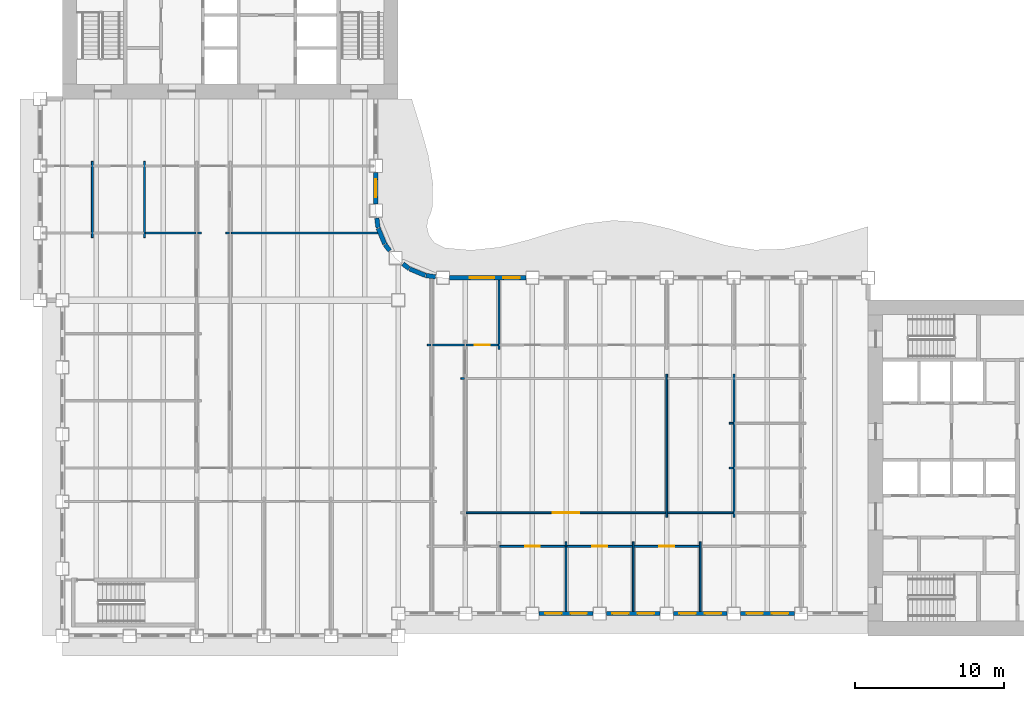
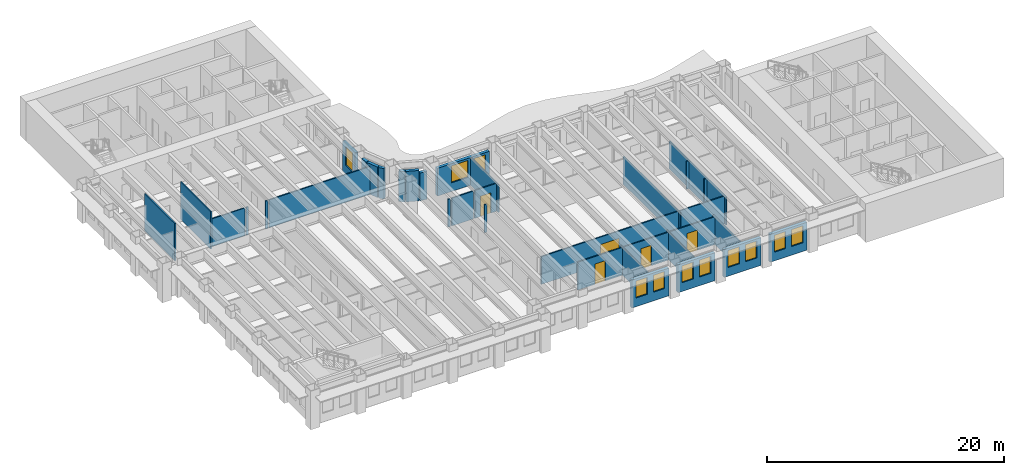
# One storey, part 5 of 16: 35 walls, 11 windows, 5 doors, 16 openings.
"""IFC4 building model written with IfcOpenShell, lengths in metres."""

from ifc_helpers import new_model, si_unit, direction, frame, frame_2d, origin, place, context, subcontext, project, spatial, rectangle, extrude, material, layer, layer_set, type_object, element, fill, save


model = new_model("IFC4")

# Units and contexts
model_context = context("Model", 3, precision=1e-05, world=origin(), true_north=direction((0.0, 1.0)))
body_context = subcontext(model_context, "Body", "Model", "MODEL_VIEW")
ifc_project = project(units=[si_unit("LENGTHUNIT", "METRE"), si_unit("AREAUNIT", "SQUARE_METRE"), si_unit("VOLUMEUNIT", "CUBIC_METRE"), si_unit("PLANEANGLEUNIT", "RADIAN"), si_unit("MASSUNIT", "GRAM", prefix="KILO")], contexts=[model_context])

# Site, building, storey
site_placement = place(None, origin())
site = spatial("IfcSite", under=ifc_project, at=site_placement, CompositionType="ELEMENT")
building_placement = place(site_placement, origin())
building = spatial("IfcBuilding", under=site, at=building_placement, Name="Sennacour Bend Tower", CompositionType="ELEMENT")
storey_placement = place(building_placement, frame((0.0, 0.0, 163.0)))
storey = spatial("IfcBuildingStorey", under=building, at=storey_placement, Name="L37", CompositionType="ELEMENT", Elevation=163.0)

# Walls
ifc_material_1 = material(Name="Plasterboard partition on steel studs", Category="steel")
ifc_layer_1 = layer(ifc_material_1, 0.1201171875, Name="Plasterboard partition on steel studs", Category="steel")
ifc_layer_set_1 = layer_set([ifc_layer_1], Name="Plasterboard partition on steel studs")
wall_type_1 = type_object("IfcWallType", Name="Partition 120", PredefinedType="PARTITIONING", material=ifc_layer_set_1)
for number, where, z_axis, x_axis, name in (
    (1, (2.0, 26.699951171875, 0.0), (0.0, 0.0, 1.0), (0.0, 1.0, 0.0), "P-L37-W004a"),
    (2, (5.5, 26.699951171875, 0.0), (0.0, 0.0, 1.0), (0.0, 1.0, 0.0), "P-L37-W007a"),
):
    element("IfcWall", number, at=place(storey_placement, frame(where, z_axis=z_axis, x_axis=x_axis)), inside=storey, type_object=wall_type_1, Name=name, PredefinedType="PARTITIONING", context=body_context, shape_type="SweptSolid", body=[
        extrude(rectangle(XDim=5.10009765625, YDim=0.1201171875, at=frame_2d((2.550048828125, 0.0))), origin(), (0.0, 0.0, 1.0), 3.85009765625),
    ])
for number, where, z_axis, x_axis, name in (
    (3, (29.25, 19.199951171875, 0.0), (0.0, 0.0, 1.0), (0.0, 1.0, 0.0), "P-L37-W027a"),
    (4, (33.75, 1.64990234375, 0.0), (0.0, 0.0, 1.0), (0.0, 1.0, 0.0), "P-L37-W028a"),
    (5, (38.25, 1.64990234375, 0.0), (0.0, 0.0, 1.0), (0.0, 1.0, 0.0), "P-L37-W030a"),
):
    element("IfcWall", number, at=place(storey_placement, frame(where, z_axis=z_axis, x_axis=x_axis)), inside=storey, type_object=wall_type_1, Name=name, PredefinedType="PARTITIONING", context=body_context, shape_type="SweptSolid", body=[
        extrude(rectangle(XDim=4.650146484375, YDim=0.1201171875, at=frame_2d((2.3251953125, 0.0))), origin(), (0.0, 0.0, 1.0), 2.8701171875),
    ])
wall_1_placement = place(storey_placement, frame((40.5, 7.949951171875, 0.0), z_axis=(0.0, 0.0, 1.0), x_axis=(0.0, 1.0, 0.0)))
element("IfcWall", 6, at=wall_1_placement, inside=storey, type_object=wall_type_1, Name="P-L37-W031a", PredefinedType="PARTITIONING", context=body_context, shape_type="SweptSolid", body=[
    extrude(rectangle(XDim=9.60009765625, YDim=0.1201171875, at=frame_2d((4.800048828125, 0.0))), origin(), (0.0, 0.0, 1.0), 2.8701171875),
])
wall_2_placement = place(storey_placement, frame((42.75, 1.64990234375, 0.0), z_axis=(0.0, 0.0, 1.0), x_axis=(0.0, 1.0, 0.0)))
element("IfcWall", 7, at=wall_2_placement, inside=storey, type_object=wall_type_1, Name="P-L37-W033a", PredefinedType="PARTITIONING", context=body_context, shape_type="SweptSolid", body=[
    extrude(rectangle(XDim=4.650146484375, YDim=0.1201171875, at=frame_2d((2.3251953125, 0.0))), origin(), (0.0, 0.0, 1.0), 2.8701171875),
])
wall_3_placement = place(storey_placement, frame((45.0, 7.949951171875, 0.0), z_axis=(0.0, 0.0, 1.0), x_axis=(0.0, 1.0, 0.0)))
element("IfcWall", 8, at=wall_3_placement, inside=storey, type_object=wall_type_1, Name="P-L37-W034a", PredefinedType="PARTITIONING", context=body_context, shape_type="SweptSolid", body=[
    extrude(rectangle(XDim=9.60009765625, YDim=0.1201171875, at=frame_2d((4.800048828125, 0.0))), origin(), (0.0, 0.0, 1.0), 2.8701171875),
])

# Wall, opening, door
wall_4_placement = place(storey_placement, frame((29.31005859375, 6.0, 0.0), z_axis=(0.0, 0.0, 1.0), x_axis=(1.0, 0.0, 0.0)))
wall_4 = element("IfcWall", 9, at=wall_4_placement, inside=storey, type_object=wall_type_1, Name="P-L37-W058ad", PredefinedType="PARTITIONING", context=body_context, shape_type="SweptSolid", body=[
    extrude(rectangle(XDim=4.3798828125, YDim=0.1201171875, at=frame_2d((2.18994140625, 0.0))), origin(), (0.0, 0.0, 1.0), 2.8701171875),
])
opening_1_placement = place(wall_4_placement, frame((1.68994140625, 0.0, 0.0)))
opening_1 = element("IfcOpeningElement", 10, at=opening_1_placement, cuts=wall_4, Name="Opening OD2", PredefinedType="OPENING", context=body_context, shape_type="SweptSolid", body=[
    extrude(rectangle(XDim=1.0, YDim=2.10009765625, at=frame_2d((0.5, 1.050048828125))), frame((0.0, 0.070068359375, 0.0), z_axis=(0.0, -1.0, 0.0), x_axis=(1.0, 0.0, 0.0)), (0.0, 0.0, 1.0), 0.14013671875),
])
ifc_material_2 = material(Name="Timber", Category="wood")
door_type_1 = type_object("IfcDoorType", Name="DR-OFFICE-1000", OperationType="NOTDEFINED", PredefinedType="DOOR", material=ifc_material_2)
door_1_placement = place(opening_1_placement, origin())
door_1 = element("IfcDoor", 11, at=door_1_placement, inside=storey, type_object=door_type_1, Name="Door", OperationType="SINGLE_SWING_LEFT", OverallHeight=2.10009765625, OverallWidth=1.0, PredefinedType="DOOR", context=body_context, shape_type="SweptSolid", body=[
    extrude(rectangle(XDim=1.0, YDim=2.10009765625, at=frame_2d((0.5, 1.050048828125))), frame((0.0, 0.02490234375, 0.0), z_axis=(0.0, -1.0, 0.0), x_axis=(1.0, 0.0, 0.0)), (0.0, 0.0, 1.0), 0.050048828125),
])
fill(opening_1, door_1)

wall_5_placement = place(storey_placement, frame((33.81005859375, 6.0, 0.0), z_axis=(0.0, 0.0, 1.0), x_axis=(1.0, 0.0, 0.0)))
wall_5 = element("IfcWall", 12, at=wall_5_placement, inside=storey, type_object=wall_type_1, Name="P-L37-W058ae", PredefinedType="PARTITIONING", context=body_context, shape_type="SweptSolid", body=[
    extrude(rectangle(XDim=4.3798828125, YDim=0.1201171875, at=frame_2d((2.18994140625, 0.0))), origin(), (0.0, 0.0, 1.0), 2.8701171875),
])
opening_2_placement = place(wall_5_placement, frame((1.68994140625, 0.0, 0.0)))
opening_2 = element("IfcOpeningElement", 13, at=opening_2_placement, cuts=wall_5, Name="Opening OD2", PredefinedType="OPENING", context=body_context, shape_type="SweptSolid", body=[
    extrude(rectangle(XDim=1.0, YDim=2.10009765625, at=frame_2d((0.5, 1.050048828125))), frame((0.0, 0.070068359375, 0.0), z_axis=(0.0, -1.0, 0.0), x_axis=(1.0, 0.0, 0.0)), (0.0, 0.0, 1.0), 0.14013671875),
])
door_2_placement = place(opening_2_placement, origin())
door_2 = element("IfcDoor", 14, at=door_2_placement, inside=storey, type_object=door_type_1, Name="Door", OperationType="SINGLE_SWING_LEFT", OverallHeight=2.10009765625, OverallWidth=1.0, PredefinedType="DOOR", context=body_context, shape_type="SweptSolid", body=[
    extrude(rectangle(XDim=1.0, YDim=2.10009765625, at=frame_2d((0.5, 1.050048828125))), frame((0.0, 0.02490234375, 0.0), z_axis=(0.0, -1.0, 0.0), x_axis=(1.0, 0.0, 0.0)), (0.0, 0.0, 1.0), 0.050048828125),
])
fill(opening_2, door_2)

wall_6_placement = place(storey_placement, frame((38.31005859375, 6.0, 0.0), z_axis=(0.0, 0.0, 1.0), x_axis=(1.0, 0.0, 0.0)))
wall_6 = element("IfcWall", 15, at=wall_6_placement, inside=storey, type_object=wall_type_1, Name="P-L37-W058af", PredefinedType="PARTITIONING", context=body_context, shape_type="SweptSolid", body=[
    extrude(rectangle(XDim=4.3798828125, YDim=0.1201171875, at=frame_2d((2.18994140625, 0.0))), origin(), (0.0, 0.0, 1.0), 2.8701171875),
])
opening_3_placement = place(wall_6_placement, frame((1.68994140625, 0.0, 0.0)))
opening_3 = element("IfcOpeningElement", 16, at=opening_3_placement, cuts=wall_6, Name="Opening OD2", PredefinedType="OPENING", context=body_context, shape_type="SweptSolid", body=[
    extrude(rectangle(XDim=1.0, YDim=2.10009765625, at=frame_2d((0.5, 1.050048828125))), frame((0.0, 0.070068359375, 0.0), z_axis=(0.0, -1.0, 0.0), x_axis=(1.0, 0.0, 0.0)), (0.0, 0.0, 1.0), 0.14013671875),
])
door_3_placement = place(opening_3_placement, origin())
door_3 = element("IfcDoor", 17, at=door_3_placement, inside=storey, type_object=door_type_1, Name="Door", OperationType="SINGLE_SWING_LEFT", OverallHeight=2.10009765625, OverallWidth=1.0, PredefinedType="DOOR", context=body_context, shape_type="SweptSolid", body=[
    extrude(rectangle(XDim=1.0, YDim=2.10009765625, at=frame_2d((0.5, 1.050048828125))), frame((0.0, 0.02490234375, 0.0), z_axis=(0.0, -1.0, 0.0), x_axis=(1.0, 0.0, 0.0)), (0.0, 0.0, 1.0), 0.050048828125),
])
fill(opening_3, door_3)

wall_7_placement = place(storey_placement, frame((27.06005859375, 8.25, 0.0), z_axis=(0.0, 0.0, 1.0), x_axis=(1.0, 0.0, 0.0)))
wall_7 = element("IfcWall", 18, at=wall_7_placement, inside=storey, type_object=wall_type_1, Name="P-L37-W060ab", PredefinedType="PARTITIONING", context=body_context, shape_type="SweptSolid", body=[
    extrude(rectangle(XDim=13.3798828125, YDim=0.1201171875, at=frame_2d((6.68994140625, 0.0))), origin(), (0.0, 0.0, 1.0), 2.8701171875),
])
opening_4_placement = place(wall_7_placement, frame((5.789794921875, 0.0, 0.0)))
opening_4 = element("IfcOpeningElement", 19, at=opening_4_placement, cuts=wall_7, Name="Opening OD3", PredefinedType="OPENING", context=body_context, shape_type="SweptSolid", body=[
    extrude(rectangle(XDim=1.800048828125, YDim=2.10009765625, at=frame_2d((0.89990234375, 1.050048828125))), frame((0.0, 0.070068359375, 0.0), z_axis=(0.0, -1.0, 0.0), x_axis=(1.0, 0.0, 0.0)), (0.0, 0.0, 1.0), 0.14013671875),
])
door_type_2 = type_object("IfcDoorType", Name="DR-OFFICE-1800", OperationType="NOTDEFINED", PredefinedType="DOOR", material=ifc_material_2)
door_4_placement = place(opening_4_placement, origin())
door_4 = element("IfcDoor", 20, at=door_4_placement, inside=storey, type_object=door_type_2, Name="Door", OperationType="DOUBLE_DOOR_SINGLE_SWING", OverallHeight=2.10009765625, OverallWidth=1.800048828125, PredefinedType="DOOR", context=body_context, shape_type="SweptSolid", body=[
    extrude(rectangle(XDim=1.800048828125, YDim=2.10009765625, at=frame_2d((0.89990234375, 1.050048828125))), frame((0.0, 0.02490234375, 0.0), z_axis=(0.0, -1.0, 0.0), x_axis=(1.0, 0.0, 0.0)), (0.0, 0.0, 1.0), 0.050048828125),
])
fill(opening_4, door_4)

# Walls
wall_8_placement = place(storey_placement, frame((40.56005859375, 8.25, 0.0), z_axis=(0.0, 0.0, 1.0), x_axis=(1.0, 0.0, 0.0)))
element("IfcWall", 21, at=wall_8_placement, inside=storey, type_object=wall_type_1, Name="P-L37-W060ac", PredefinedType="PARTITIONING", context=body_context, shape_type="SweptSolid", body=[
    extrude(rectangle(XDim=4.3798828125, YDim=0.1201171875, at=frame_2d((2.18994140625, 0.0))), origin(), (0.0, 0.0, 1.0), 2.8701171875),
])
for number, where, z_axis, x_axis, name in (
    (22, (44.699951171875, 11.25, 0.0), (0.0, 0.0, 1.0), (1.0, 0.0, 0.0), "P-L37-W064aa"),
    (23, (44.699951171875, 14.25, 0.0), (0.0, 0.0, 1.0), (1.0, 0.0, 0.0), "P-L37-W066aa"),
    (24, (26.699951171875, 17.25, 0.0), (0.0, 0.0, 1.0), (1.0, 0.0, 0.0), "P-L37-W070aa"),
    (25, (24.449951171875, 19.5, 0.0), (0.0, 0.0, 1.0), (1.0, 0.0, 0.0), "P-L37-W074aa"),
):
    element("IfcWall", number, at=place(storey_placement, frame(where, z_axis=z_axis, x_axis=x_axis)), inside=storey, type_object=wall_type_1, Name=name, PredefinedType="PARTITIONING", context=body_context, shape_type="SweptSolid", body=[
        extrude(rectangle(XDim=0.239990234375, YDim=0.1201171875, at=frame_2d((0.1201171875, 0.0))), origin(), (0.0, 0.0, 1.0), 2.8701171875),
    ])
wall_9_placement = place(storey_placement, frame((24.81005859375, 19.5, 0.0), z_axis=(0.0, 0.0, 1.0), x_axis=(1.0, 0.0, 0.0)))
element("IfcWall", 26, at=wall_9_placement, inside=storey, type_object=wall_type_1, Name="P-L37-W074ab", PredefinedType="PARTITIONING", context=body_context, shape_type="SweptSolid", body=[
    extrude(rectangle(XDim=2.1298828125, YDim=0.1201171875, at=frame_2d((1.06494140625, 0.0))), origin(), (0.0, 0.0, 1.0), 2.8701171875),
])

# Wall, opening, door
wall_10_placement = place(storey_placement, frame((27.06005859375, 19.5, 0.0), z_axis=(0.0, 0.0, 1.0), x_axis=(1.0, 0.0, 0.0)))
wall_10 = element("IfcWall", 27, at=wall_10_placement, inside=storey, type_object=wall_type_1, Name="P-L37-W074ac", PredefinedType="PARTITIONING", context=body_context, shape_type="SweptSolid", body=[
    extrude(rectangle(XDim=2.1298828125, YDim=0.1201171875, at=frame_2d((1.06494140625, 0.0))), origin(), (0.0, 0.0, 1.0), 2.8701171875),
])
opening_5_placement = place(wall_10_placement, frame((0.56494140625, 0.0, 0.0)))
opening_5 = element("IfcOpeningElement", 28, at=opening_5_placement, cuts=wall_10, Name="Opening OD2", PredefinedType="OPENING", context=body_context, shape_type="SweptSolid", body=[
    extrude(rectangle(XDim=1.0, YDim=2.10009765625, at=frame_2d((0.5, 1.050048828125))), frame((0.0, 0.070068359375, 0.0), z_axis=(0.0, -1.0, 0.0), x_axis=(1.0, 0.0, 0.0)), (0.0, 0.0, 1.0), 0.14013671875),
])
door_5_placement = place(opening_5_placement, origin())
door_5 = element("IfcDoor", 29, at=door_5_placement, inside=storey, type_object=door_type_1, Name="Door", OperationType="SINGLE_SWING_LEFT", OverallHeight=2.10009765625, OverallWidth=1.0, PredefinedType="DOOR", context=body_context, shape_type="SweptSolid", body=[
    extrude(rectangle(XDim=1.0, YDim=2.10009765625, at=frame_2d((0.5, 1.050048828125))), frame((0.0, 0.02490234375, 0.0), z_axis=(0.0, -1.0, 0.0), x_axis=(1.0, 0.0, 0.0)), (0.0, 0.0, 1.0), 0.050048828125),
])
fill(opening_5, door_5)

# Walls
wall_11_placement = place(storey_placement, frame((5.56005859375, 27.0, 0.0), z_axis=(0.0, 0.0, 1.0), x_axis=(1.0, 0.0, 0.0)))
element("IfcWall", 30, at=wall_11_placement, inside=storey, type_object=wall_type_1, Name="P-L37-W077ac", PredefinedType="PARTITIONING", context=body_context, shape_type="SweptSolid", body=[
    extrude(rectangle(XDim=3.3798828125, YDim=0.1201171875, at=frame_2d((1.68994140625, 0.0))), origin(), (0.0, 0.0, 1.0), 2.8701171875),
])
for number, where, z_axis, x_axis, name in (
    (31, (9.06005859375, 27.0, 0.0), (0.0, 0.0, 1.0), (1.0, 0.0, 0.0), "P-L37-W077ad"),
    (32, (10.949951171875, 27.0, 0.0), (0.0, 0.0, 1.0), (1.0, 0.0, 0.0), "P-L37-W078aa"),
):
    element("IfcWall", number, at=place(storey_placement, frame(where, z_axis=z_axis, x_axis=x_axis)), inside=storey, type_object=wall_type_1, Name=name, PredefinedType="PARTITIONING", context=body_context, shape_type="SweptSolid", body=[
        extrude(rectangle(XDim=0.239990234375, YDim=0.1201171875, at=frame_2d((0.1201171875, 0.0))), origin(), (0.0, 0.0, 1.0), 2.8701171875),
    ])
wall_12_placement = place(storey_placement, frame((11.31005859375, 27.0, 0.0), z_axis=(0.0, 0.0, 1.0), x_axis=(1.0, 0.0, 0.0)))
element("IfcWall", 33, at=wall_12_placement, inside=storey, type_object=wall_type_1, Name="P-L37-W078ab", PredefinedType="PARTITIONING", context=body_context, shape_type="SweptSolid", body=[
    extrude(rectangle(XDim=9.81982421875, YDim=0.1201171875, at=frame_2d((4.909912109375, 0.0))), origin(), (0.0, 0.0, 1.0), 2.8701171875),
])

# Wall, openings, windows
ifc_material_3 = material(Name="Warm limestone cladding", Category="masonry")
ifc_layer_2 = layer(ifc_material_3, 0.050048828125, Name="Warm limestone cladding", Category="masonry")
ifc_material_4 = material(Name="Precast concrete C40/50", Category="concrete")
ifc_layer_3 = layer(ifc_material_4, 0.25, Name="Precast concrete C40/50", Category="concrete")
ifc_layer_set_2 = layer_set([ifc_layer_2, ifc_layer_3], Name="Precast concrete C40/50 with limestone cladding")
wall_type_2 = type_object("IfcWallType", Name="STONE-CLAD PRECAST SPANDREL 300", PredefinedType="STANDARD", material=ifc_layer_set_2)
wall_13_placement = place(storey_placement, frame((31.949951171875, 1.5, 0.0), z_axis=(0.0, 0.0, 1.0), x_axis=(1.0, 0.0, 0.0)))
wall_13 = element("IfcWall", 34, at=wall_13_placement, inside=storey, type_object=wall_type_2, Name="Stone spandrel and pier wall L37 02.02", PredefinedType="STANDARD", context=body_context, shape_type="SweptSolid", body=[
    extrude(rectangle(XDim=3.60009765625, YDim=0.300048828125, at=frame_2d((1.800048828125, 0.0))), origin(), (0.0, 0.0, 1.0), 2.8701171875),
])
opening_6_placement = place(wall_13_placement, frame((0.39990234375, 0.0, 0.89990234375)))
opening_6 = element("IfcOpeningElement", 35, at=opening_6_placement, cuts=wall_13, Name="Opening W17", PredefinedType="OPENING", context=body_context, shape_type="SweptSolid", body=[
    extrude(rectangle(XDim=1.10009765625, YDim=1.75, at=frame_2d((0.550048828125, 0.875))), frame((0.0, 0.16015625, 0.0), z_axis=(0.0, -1.0, 0.0), x_axis=(1.0, 0.0, 0.0)), (0.0, 0.0, 1.0), 0.320068359375),
])
opening_7_placement = place(wall_13_placement, frame((2.10009765625, 0.0, 0.89990234375)))
opening_7 = element("IfcOpeningElement", 36, at=opening_7_placement, cuts=wall_13, Name="Opening W17", PredefinedType="OPENING", context=body_context, shape_type="SweptSolid", body=[
    extrude(rectangle(XDim=1.10009765625, YDim=1.75, at=frame_2d((0.550048828125, 0.875))), frame((0.0, 0.16015625, 0.0), z_axis=(0.0, -1.0, 0.0), x_axis=(1.0, 0.0, 0.0)), (0.0, 0.0, 1.0), 0.320068359375),
])
ifc_material_5 = material(Name="Clear low-emissivity glass", Category="glass")
window_type_1 = type_object("IfcWindowType", Name="WIN-RIBBON-1100x1750", PartitioningType="SINGLE_PANEL", PredefinedType="WINDOW", material=ifc_material_5)
window_1_placement = place(opening_6_placement, origin())
window_1 = element("IfcWindow", 37, at=window_1_placement, inside=storey, type_object=window_type_1, Name="Ribbon window L37 02.02.0", OverallHeight=1.75, OverallWidth=1.10009765625, PartitioningType="SINGLE_PANEL", PredefinedType="WINDOW", context=body_context, shape_type="SweptSolid", body=[
    extrude(rectangle(XDim=1.10009765625, YDim=1.75, at=frame_2d((0.550048828125, 0.875))), frame((0.0, 0.030029296875, 0.0), z_axis=(0.0, -1.0, 0.0), x_axis=(1.0, 0.0, 0.0)), (0.0, 0.0, 1.0), 0.06005859375),
])
fill(opening_6, window_1)
window_2_placement = place(opening_7_placement, origin())
window_2 = element("IfcWindow", 38, at=window_2_placement, inside=storey, type_object=window_type_1, Name="Ribbon window L37 02.02.1", OverallHeight=1.75, OverallWidth=1.10009765625, PartitioningType="SINGLE_PANEL", PredefinedType="WINDOW", context=body_context, shape_type="SweptSolid", body=[
    extrude(rectangle(XDim=1.10009765625, YDim=1.75, at=frame_2d((0.550048828125, 0.875))), frame((0.0, 0.030029296875, 0.0), z_axis=(0.0, -1.0, 0.0), x_axis=(1.0, 0.0, 0.0)), (0.0, 0.0, 1.0), 0.06005859375),
])
fill(opening_7, window_2)

wall_14_placement = place(storey_placement, frame((36.449951171875, 1.5, 0.0), z_axis=(0.0, 0.0, 1.0), x_axis=(1.0, 0.0, 0.0)))
wall_14 = element("IfcWall", 39, at=wall_14_placement, inside=storey, type_object=wall_type_2, Name="Stone spandrel and pier wall L37 02.03", PredefinedType="STANDARD", context=body_context, shape_type="SweptSolid", body=[
    extrude(rectangle(XDim=3.60009765625, YDim=0.300048828125, at=frame_2d((1.800048828125, 0.0))), origin(), (0.0, 0.0, 1.0), 2.8701171875),
])
opening_8_placement = place(wall_14_placement, frame((0.39990234375, 0.0, 0.89990234375)))
opening_8 = element("IfcOpeningElement", 40, at=opening_8_placement, cuts=wall_14, Name="Opening W17", PredefinedType="OPENING", context=body_context, shape_type="SweptSolid", body=[
    extrude(rectangle(XDim=1.10009765625, YDim=1.75, at=frame_2d((0.550048828125, 0.875))), frame((0.0, 0.16015625, 0.0), z_axis=(0.0, -1.0, 0.0), x_axis=(1.0, 0.0, 0.0)), (0.0, 0.0, 1.0), 0.320068359375),
])
opening_9_placement = place(wall_14_placement, frame((2.10009765625, 0.0, 0.89990234375)))
opening_9 = element("IfcOpeningElement", 41, at=opening_9_placement, cuts=wall_14, Name="Opening W17", PredefinedType="OPENING", context=body_context, shape_type="SweptSolid", body=[
    extrude(rectangle(XDim=1.10009765625, YDim=1.75, at=frame_2d((0.550048828125, 0.875))), frame((0.0, 0.16015625, 0.0), z_axis=(0.0, -1.0, 0.0), x_axis=(1.0, 0.0, 0.0)), (0.0, 0.0, 1.0), 0.320068359375),
])
window_3_placement = place(opening_8_placement, origin())
window_3 = element("IfcWindow", 42, at=window_3_placement, inside=storey, type_object=window_type_1, Name="Ribbon window L37 02.03.0", OverallHeight=1.75, OverallWidth=1.10009765625, PartitioningType="SINGLE_PANEL", PredefinedType="WINDOW", context=body_context, shape_type="SweptSolid", body=[
    extrude(rectangle(XDim=1.10009765625, YDim=1.75, at=frame_2d((0.550048828125, 0.875))), frame((0.0, 0.030029296875, 0.0), z_axis=(0.0, -1.0, 0.0), x_axis=(1.0, 0.0, 0.0)), (0.0, 0.0, 1.0), 0.06005859375),
])
fill(opening_8, window_3)
window_4_placement = place(opening_9_placement, origin())
window_4 = element("IfcWindow", 43, at=window_4_placement, inside=storey, type_object=window_type_1, Name="Ribbon window L37 02.03.1", OverallHeight=1.75, OverallWidth=1.10009765625, PartitioningType="SINGLE_PANEL", PredefinedType="WINDOW", context=body_context, shape_type="SweptSolid", body=[
    extrude(rectangle(XDim=1.10009765625, YDim=1.75, at=frame_2d((0.550048828125, 0.875))), frame((0.0, 0.030029296875, 0.0), z_axis=(0.0, -1.0, 0.0), x_axis=(1.0, 0.0, 0.0)), (0.0, 0.0, 1.0), 0.06005859375),
])
fill(opening_9, window_4)

wall_15_placement = place(storey_placement, frame((40.949951171875, 1.5, 0.0), z_axis=(0.0, 0.0, 1.0), x_axis=(1.0, 0.0, 0.0)))
wall_15 = element("IfcWall", 44, at=wall_15_placement, inside=storey, type_object=wall_type_2, Name="Stone spandrel and pier wall L37 02.04", PredefinedType="STANDARD", context=body_context, shape_type="SweptSolid", body=[
    extrude(rectangle(XDim=3.60009765625, YDim=0.300048828125, at=frame_2d((1.800048828125, 0.0))), origin(), (0.0, 0.0, 1.0), 2.8701171875),
])
opening_10_placement = place(wall_15_placement, frame((0.39990234375, 0.0, 0.89990234375)))
opening_10 = element("IfcOpeningElement", 45, at=opening_10_placement, cuts=wall_15, Name="Opening W17", PredefinedType="OPENING", context=body_context, shape_type="SweptSolid", body=[
    extrude(rectangle(XDim=1.10009765625, YDim=1.75, at=frame_2d((0.550048828125, 0.875))), frame((0.0, 0.16015625, 0.0), z_axis=(0.0, -1.0, 0.0), x_axis=(1.0, 0.0, 0.0)), (0.0, 0.0, 1.0), 0.320068359375),
])
opening_11_placement = place(wall_15_placement, frame((2.10009765625, 0.0, 0.89990234375)))
opening_11 = element("IfcOpeningElement", 46, at=opening_11_placement, cuts=wall_15, Name="Opening W17", PredefinedType="OPENING", context=body_context, shape_type="SweptSolid", body=[
    extrude(rectangle(XDim=1.10009765625, YDim=1.75, at=frame_2d((0.550048828125, 0.875))), frame((0.0, 0.16015625, 0.0), z_axis=(0.0, -1.0, 0.0), x_axis=(1.0, 0.0, 0.0)), (0.0, 0.0, 1.0), 0.320068359375),
])
window_5_placement = place(opening_10_placement, origin())
window_5 = element("IfcWindow", 47, at=window_5_placement, inside=storey, type_object=window_type_1, Name="Ribbon window L37 02.04.0", OverallHeight=1.75, OverallWidth=1.10009765625, PartitioningType="SINGLE_PANEL", PredefinedType="WINDOW", context=body_context, shape_type="SweptSolid", body=[
    extrude(rectangle(XDim=1.10009765625, YDim=1.75, at=frame_2d((0.550048828125, 0.875))), frame((0.0, 0.030029296875, 0.0), z_axis=(0.0, -1.0, 0.0), x_axis=(1.0, 0.0, 0.0)), (0.0, 0.0, 1.0), 0.06005859375),
])
fill(opening_10, window_5)
window_6_placement = place(opening_11_placement, origin())
window_6 = element("IfcWindow", 48, at=window_6_placement, inside=storey, type_object=window_type_1, Name="Ribbon window L37 02.04.1", OverallHeight=1.75, OverallWidth=1.10009765625, PartitioningType="SINGLE_PANEL", PredefinedType="WINDOW", context=body_context, shape_type="SweptSolid", body=[
    extrude(rectangle(XDim=1.10009765625, YDim=1.75, at=frame_2d((0.550048828125, 0.875))), frame((0.0, 0.030029296875, 0.0), z_axis=(0.0, -1.0, 0.0), x_axis=(1.0, 0.0, 0.0)), (0.0, 0.0, 1.0), 0.06005859375),
])
fill(opening_11, window_6)

wall_16_placement = place(storey_placement, frame((45.449951171875, 1.5, 0.0), z_axis=(0.0, 0.0, 1.0), x_axis=(1.0, 0.0, 0.0)))
wall_16 = element("IfcWall", 49, at=wall_16_placement, inside=storey, type_object=wall_type_2, Name="Stone spandrel and pier wall L37 02.05", PredefinedType="STANDARD", context=body_context, shape_type="SweptSolid", body=[
    extrude(rectangle(XDim=3.60009765625, YDim=0.300048828125, at=frame_2d((1.800048828125, 0.0))), origin(), (0.0, 0.0, 1.0), 2.8701171875),
])
opening_12_placement = place(wall_16_placement, frame((0.39990234375, 0.0, 0.89990234375)))
opening_12 = element("IfcOpeningElement", 50, at=opening_12_placement, cuts=wall_16, Name="Opening W17", PredefinedType="OPENING", context=body_context, shape_type="SweptSolid", body=[
    extrude(rectangle(XDim=1.10009765625, YDim=1.75, at=frame_2d((0.550048828125, 0.875))), frame((0.0, 0.16015625, 0.0), z_axis=(0.0, -1.0, 0.0), x_axis=(1.0, 0.0, 0.0)), (0.0, 0.0, 1.0), 0.320068359375),
])
opening_13_placement = place(wall_16_placement, frame((2.10009765625, 0.0, 0.89990234375)))
opening_13 = element("IfcOpeningElement", 51, at=opening_13_placement, cuts=wall_16, Name="Opening W17", PredefinedType="OPENING", context=body_context, shape_type="SweptSolid", body=[
    extrude(rectangle(XDim=1.10009765625, YDim=1.75, at=frame_2d((0.550048828125, 0.875))), frame((0.0, 0.16015625, 0.0), z_axis=(0.0, -1.0, 0.0), x_axis=(1.0, 0.0, 0.0)), (0.0, 0.0, 1.0), 0.320068359375),
])
window_7_placement = place(opening_12_placement, origin())
window_7 = element("IfcWindow", 52, at=window_7_placement, inside=storey, type_object=window_type_1, Name="Ribbon window L37 02.05.0", OverallHeight=1.75, OverallWidth=1.10009765625, PartitioningType="SINGLE_PANEL", PredefinedType="WINDOW", context=body_context, shape_type="SweptSolid", body=[
    extrude(rectangle(XDim=1.10009765625, YDim=1.75, at=frame_2d((0.550048828125, 0.875))), frame((0.0, 0.030029296875, 0.0), z_axis=(0.0, -1.0, 0.0), x_axis=(1.0, 0.0, 0.0)), (0.0, 0.0, 1.0), 0.06005859375),
])
fill(opening_12, window_7)
window_8_placement = place(opening_13_placement, origin())
window_8 = element("IfcWindow", 53, at=window_8_placement, inside=storey, type_object=window_type_1, Name="Ribbon window L37 02.05.1", OverallHeight=1.75, OverallWidth=1.10009765625, PartitioningType="SINGLE_PANEL", PredefinedType="WINDOW", context=body_context, shape_type="SweptSolid", body=[
    extrude(rectangle(XDim=1.10009765625, YDim=1.75, at=frame_2d((0.550048828125, 0.875))), frame((0.0, 0.030029296875, 0.0), z_axis=(0.0, -1.0, 0.0), x_axis=(1.0, 0.0, 0.0)), (0.0, 0.0, 1.0), 0.06005859375),
])
fill(opening_13, window_8)

wall_17_placement = place(storey_placement, frame((31.050048828125, 24.0, 0.0), z_axis=(0.0, 0.0, 1.0), x_axis=(-1.0, 0.0, 0.0)))
wall_17 = element("IfcWall", 54, at=wall_17_placement, inside=storey, type_object=wall_type_2, Name="Stone spandrel and pier wall L37 08.05", PredefinedType="STANDARD", context=body_context, shape_type="SweptSolid", body=[
    extrude(rectangle(XDim=5.10009765625, YDim=0.300048828125, at=frame_2d((2.550048828125, 0.0))), origin(), (0.0, 0.0, 1.0), 2.8701171875),
])
opening_14_placement = place(wall_17_placement, frame((0.39990234375, 0.0, 0.89990234375)))
opening_14 = element("IfcOpeningElement", 55, at=opening_14_placement, cuts=wall_17, Name="Opening W17", PredefinedType="OPENING", context=body_context, shape_type="SweptSolid", body=[
    extrude(rectangle(XDim=1.10009765625, YDim=1.75, at=frame_2d((0.550048828125, 0.875))), frame((0.0, 0.16015625, 0.0), z_axis=(0.0, -1.0, 0.0), x_axis=(1.0, 0.0, 0.0)), (0.0, 0.0, 1.0), 0.320068359375),
])
opening_15_placement = place(wall_17_placement, frame((2.10009765625, 0.0, 0.89990234375)))
opening_15 = element("IfcOpeningElement", 56, at=opening_15_placement, cuts=wall_17, Name="Opening W18", PredefinedType="OPENING", context=body_context, shape_type="SweptSolid", body=[
    extrude(rectangle(XDim=1.64990234375, YDim=1.75, at=frame_2d((0.824951171875, 0.875))), frame((0.0, 0.16015625, 0.0), z_axis=(0.0, -1.0, 0.0), x_axis=(1.0, 0.0, 0.0)), (0.0, 0.0, 1.0), 0.320068359375),
])
window_9_placement = place(opening_14_placement, origin())
window_9 = element("IfcWindow", 57, at=window_9_placement, inside=storey, type_object=window_type_1, Name="Ribbon window L37 08.05.0", OverallHeight=1.75, OverallWidth=1.10009765625, PartitioningType="SINGLE_PANEL", PredefinedType="WINDOW", context=body_context, shape_type="SweptSolid", body=[
    extrude(rectangle(XDim=1.10009765625, YDim=1.75, at=frame_2d((0.550048828125, 0.875))), frame((0.0, 0.030029296875, 0.0), z_axis=(0.0, -1.0, 0.0), x_axis=(1.0, 0.0, 0.0)), (0.0, 0.0, 1.0), 0.06005859375),
])
fill(opening_14, window_9)
window_type_2 = type_object("IfcWindowType", Name="WIN-RIBBON-1650x1750", PartitioningType="SINGLE_PANEL", PredefinedType="WINDOW", material=ifc_material_5)
window_10_placement = place(opening_15_placement, origin())
window_10 = element("IfcWindow", 58, at=window_10_placement, inside=storey, type_object=window_type_2, Name="Ribbon window L37 08.05.1", OverallHeight=1.75, OverallWidth=1.64990234375, PartitioningType="SINGLE_PANEL", PredefinedType="WINDOW", context=body_context, shape_type="SweptSolid", body=[
    extrude(rectangle(XDim=1.64990234375, YDim=1.75, at=frame_2d((0.824951171875, 0.875))), frame((0.0, 0.030029296875, 0.0), z_axis=(0.0, -1.0, 0.0), x_axis=(1.0, 0.0, 0.0)), (0.0, 0.0, 1.0), 0.06005859375),
])
fill(opening_15, window_10)

# Walls
wall_18_placement = place(storey_placement, frame((24.99951171875, 24.06591796875, 0.0), z_axis=(0.0, 0.0, 1.0), x_axis=(-0.991423590996, 0.130687655177, 0.0)))
element("IfcWall", 59, at=wall_18_placement, inside=storey, type_object=wall_type_2, Name="Stone spandrel and pier wall L37 09.00", PredefinedType="STANDARD", context=body_context, shape_type="SweptSolid", body=[
    extrude(rectangle(XDim=0.650146484375, YDim=0.300048828125, at=frame_2d((0.3251953125, 0.0))), origin(), (0.0, 0.0, 1.0), 2.8701171875),
])
wall_19_placement = place(storey_placement, frame((24.317138671875, 24.160888671875, 0.0), z_axis=(0.0, 0.0, 1.0), x_axis=(-0.923914616768, 0.382598720491, 0.0)))
element("IfcWall", 60, at=wall_19_placement, inside=storey, type_object=wall_type_2, Name="Stone spandrel and pier wall L37 10.00", PredefinedType="STANDARD", context=body_context, shape_type="SweptSolid", body=[
    extrude(rectangle(XDim=1.13525390625, YDim=0.300048828125, at=frame_2d((0.567626953125, 0.0))), origin(), (0.0, 0.0, 1.0), 3.14892578125),
])
for number, where, z_axis, x_axis, name in (
    (61, (23.234375, 24.614990234375, 0.0), (0.0, 0.0, 1.0), (-0.793523857856, 0.608539141726, 0.0), "Stone spandrel and pier wall L37 11.00"),
    (62, (21.933837890625, 25.818603515625, 0.0), (0.0, 0.0, 1.0), (-0.608539141726, 0.793523857856, 0.0), "Stone spandrel and pier wall L37 12.00"),
):
    element("IfcWall", number, at=place(storey_placement, frame(where, z_axis=z_axis, x_axis=x_axis)), inside=storey, type_object=wall_type_2, Name=name, PredefinedType="STANDARD", context=body_context, shape_type="SweptSolid", body=[
        extrude(rectangle(XDim=0.52392578125, YDim=0.300048828125, at=frame_2d((0.261962890625, 0.0))), origin(), (0.0, 0.0, 1.0), 3.14892578125),
    ])
wall_20_placement = place(storey_placement, frame((21.59521484375, 26.268310546875, 0.0), z_axis=(0.0, 0.0, 1.0), x_axis=(-0.382598720491, 0.923914616768, 0.0)))
element("IfcWall", 63, at=wall_20_placement, inside=storey, type_object=wall_type_2, Name="Stone spandrel and pier wall L37 13.00", PredefinedType="STANDARD", context=body_context, shape_type="SweptSolid", body=[
    extrude(rectangle(XDim=1.13525390625, YDim=0.300048828125, at=frame_2d((0.567626953125, 0.0))), origin(), (0.0, 0.0, 1.0), 3.14892578125),
])
wall_21_placement = place(storey_placement, frame((21.15087890625, 27.35498046875, 0.0), z_axis=(0.0, 0.0, 1.0), x_axis=(-0.130687655177, 0.991423590996, 0.0)))
element("IfcWall", 64, at=wall_21_placement, inside=storey, type_object=wall_type_2, Name="Stone spandrel and pier wall L37 14.00", PredefinedType="STANDARD", context=body_context, shape_type="SweptSolid", body=[
    extrude(rectangle(XDim=0.650146484375, YDim=0.300048828125, at=frame_2d((0.3251953125, 0.0))), origin(), (0.0, 0.0, 1.0), 3.14892578125),
])

# Wall, opening, window
wall_22_placement = place(storey_placement, frame((21.0, 28.949951171875, 0.0), z_axis=(0.0, 0.0, 1.0), x_axis=(0.0, 1.0, 0.0)))
wall_22 = element("IfcWall", 65, at=wall_22_placement, inside=storey, type_object=wall_type_2, Name="Stone spandrel and pier wall L37 15.00", PredefinedType="STANDARD", context=body_context, shape_type="SweptSolid", body=[
    extrude(rectangle(XDim=2.10009765625, YDim=0.300048828125, at=frame_2d((1.050048828125, 0.0))), origin(), (0.0, 0.0, 1.0), 3.14892578125),
])
opening_16_placement = place(wall_22_placement, frame((0.449951171875, 0.0, 0.89990234375)))
opening_16 = element("IfcOpeningElement", 66, at=opening_16_placement, cuts=wall_22, Name="Opening W14", PredefinedType="OPENING", context=body_context, shape_type="SweptSolid", body=[
    extrude(rectangle(XDim=1.199951171875, YDim=2.0, at=frame_2d((0.60009765625, 1.0))), frame((0.0, 0.16015625, 0.0), z_axis=(0.0, -1.0, 0.0), x_axis=(1.0, 0.0, 0.0)), (0.0, 0.0, 1.0), 0.320068359375),
])
window_type_3 = type_object("IfcWindowType", Name="WIN-RIBBON-1200x2000", PartitioningType="SINGLE_PANEL", PredefinedType="WINDOW", material=ifc_material_5)
window_11_placement = place(opening_16_placement, origin())
window_11 = element("IfcWindow", 67, at=window_11_placement, inside=storey, type_object=window_type_3, Name="Ribbon window L37 15.00", OverallHeight=2.0, OverallWidth=1.199951171875, PartitioningType="SINGLE_PANEL", PredefinedType="WINDOW", context=body_context, shape_type="SweptSolid", body=[
    extrude(rectangle(XDim=1.199951171875, YDim=2.0, at=frame_2d((0.60009765625, 1.0))), frame((0.0, 0.030029296875, 0.0), z_axis=(0.0, -1.0, 0.0), x_axis=(1.0, 0.0, 0.0)), (0.0, 0.0, 1.0), 0.06005859375),
])
fill(opening_16, window_11)

save(model, "model.ifc")
